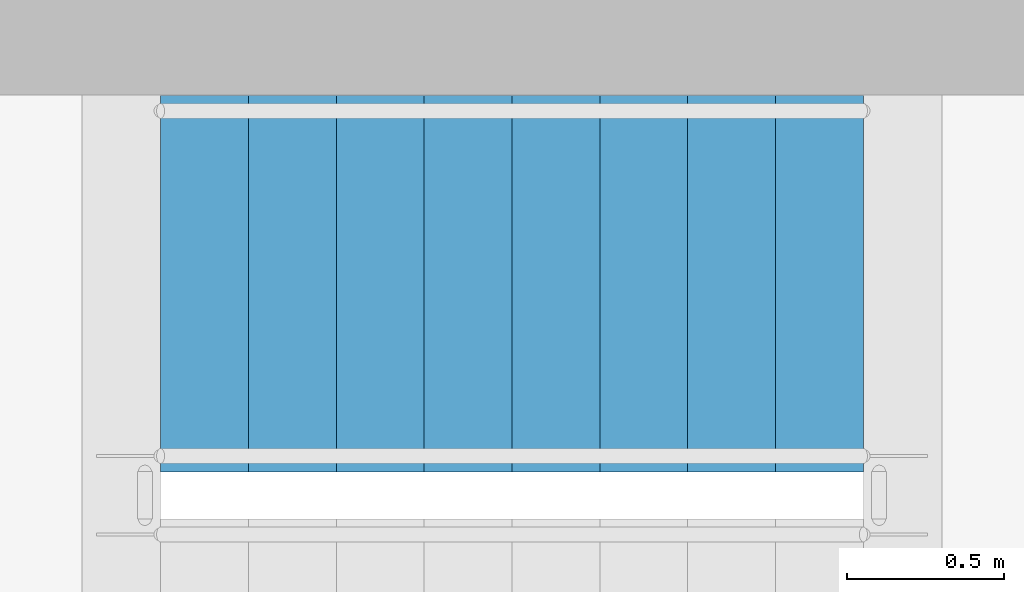
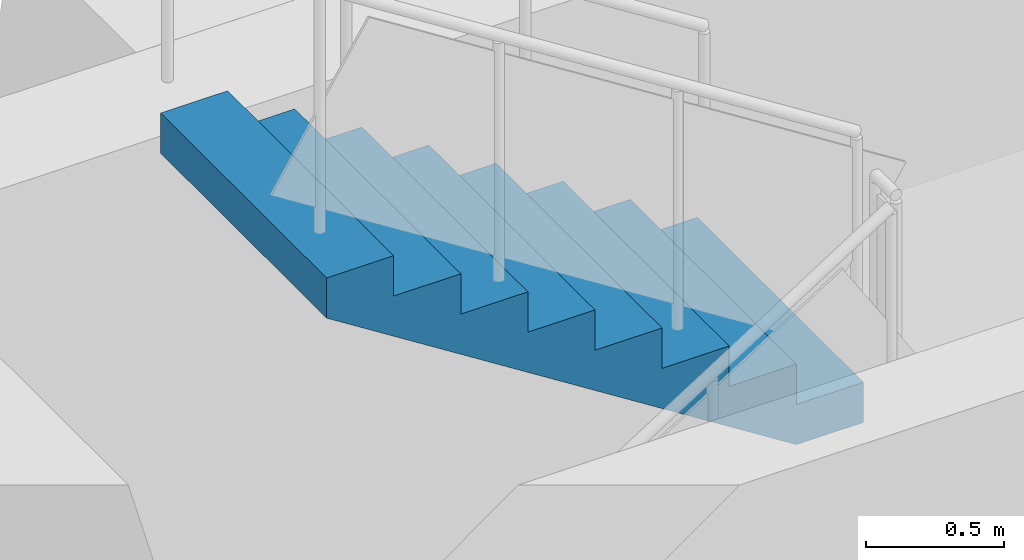
# One storey, part 14 of 19: 1 stair flight, 1 element without a shape of its own.
"""IFC4 building model written with IfcOpenShell, lengths in metres."""

from ifc_helpers import new_model, si_unit, direction, frame, origin, place, context, subcontext, project, spatial, polyline, outline, extrude, material, type_object, element, aggregate, save


model = new_model("IFC4")

# Units and contexts
model_context = context("Model", 3, precision=1e-05, world=origin(), true_north=direction((0.0, 1.0)))
body_context = subcontext(model_context, "Body", "Model", "MODEL_VIEW")
ifc_project = project(units=[si_unit("LENGTHUNIT", "METRE"), si_unit("AREAUNIT", "SQUARE_METRE"), si_unit("VOLUMEUNIT", "CUBIC_METRE"), si_unit("PLANEANGLEUNIT", "RADIAN"), si_unit("MASSUNIT", "GRAM", prefix="KILO")], contexts=[model_context])

# Site, building, storey
site_placement = place(None, origin())
site = spatial("IfcSite", under=ifc_project, at=site_placement, CompositionType="ELEMENT")
building_placement = place(site_placement, origin())
building = spatial("IfcBuilding", under=site, at=building_placement, Name="Vidyagriha Tower", CompositionType="ELEMENT")
storey_placement = place(building_placement, frame((0.0, 0.0, 99.89990234375)))
storey = spatial("IfcBuildingStorey", under=building, at=storey_placement, Name="L26", CompositionType="ELEMENT", Elevation=99.89990234375)

# Stair, stair flight
ifc_material_1 = material(Name="Concrete C40/50", Category="concrete")
stair_type = type_object("IfcStairType", Name="Exit stair, half-turn, precast flights", PredefinedType="HALF_TURN_STAIR", material=ifc_material_1)
stair_placement = place(storey_placement, origin())
stair = element("IfcStair", 1, at=stair_placement, inside=storey, type_object=stair_type, Name="L26 Exit Stair ST3", PredefinedType="HALF_TURN_STAIR")
ifc_material_2 = material(Name="Precast concrete C40/50", Category="concrete")
stair_flight_type = type_object("IfcStairFlightType", Name="Exit stair flight 1200 mm, precast", PredefinedType="STRAIGHT", material=ifc_material_2)
stair_flight_placement = place(storey_placement, frame((6.239990234375, 18.89990234375, 1.60009765625), z_axis=(0.0, 0.0, 1.0), x_axis=(-1.0, 0.0, 0.0)))
stair_flight = element("IfcStairFlight", 2, at=stair_flight_placement, type_object=stair_flight_type, Name="ST3 flight 2", NumberOfRisers=9, NumberOfTreads=8, PredefinedType="STRAIGHT", RiserHeight=0.177777778, TreadLength=0.28, context=body_context, shape_type="SweptSolid", body=[
    extrude(outline(polyline([(0.0, 0.0), (0.0, 0.177734375), (0.280029296875, 0.177734375), (0.280029296875, 0.35546875), (0.56005859375, 0.35546875), (0.56005859375, 0.533447265625), (0.840087890625, 0.533447265625), (0.840087890625, 0.711181640625), (1.1201171875, 0.711181640625), (1.1201171875, 0.888916015625), (1.39990234375, 0.888916015625), (1.39990234375, 1.066650390625), (1.679931640625, 1.066650390625), (1.679931640625, 1.244384765625), (1.9599609375, 1.244384765625), (1.9599609375, 1.422119140625), (2.239990234375, 1.422119140625), (2.239990234375, 1.60009765625), (2.239990234375, 1.24462890625), (0.27978515625, 0.0), (0.0, 0.0)])), frame((0.0, 0.60009765625, 0.0), z_axis=(0.0, -1.0, 0.0), x_axis=(1.0, 0.0, 0.0)), (0.0, 0.0, 1.0), 1.199951171875),
])
aggregate(stair, [stair_flight])

save(model, "model.ifc")
